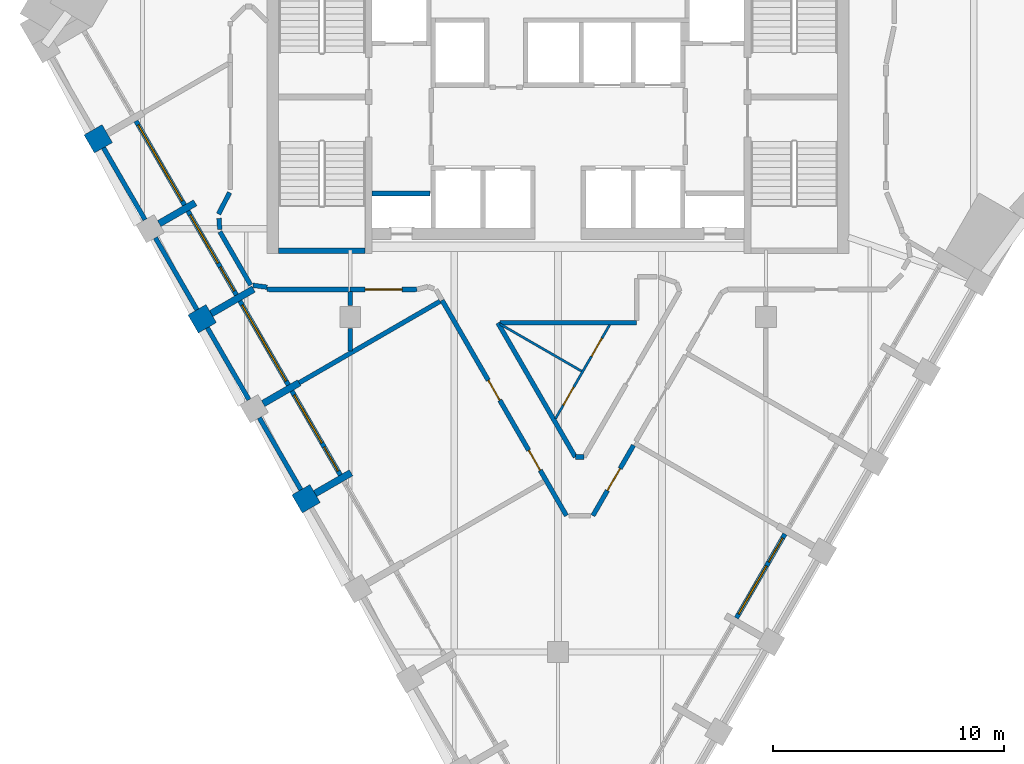
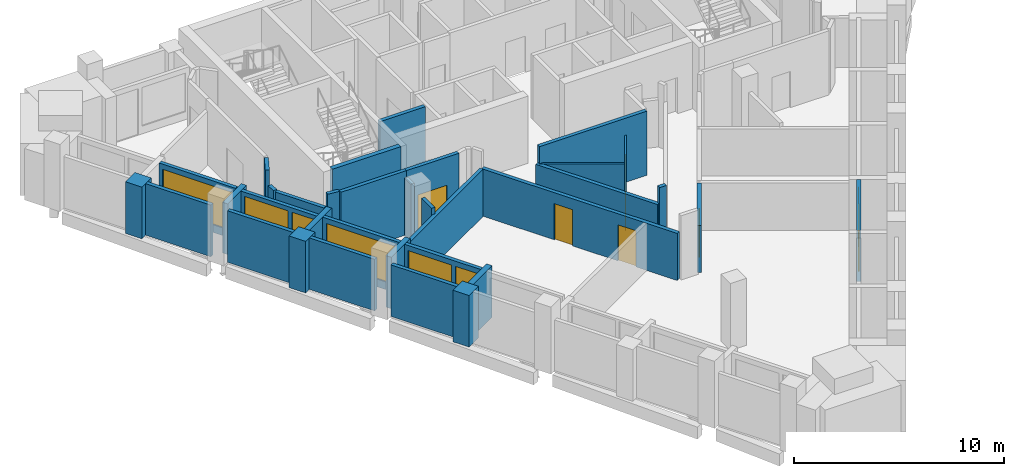
# One storey, part 3 of 9: 34 walls, 9 doors, 5 windows, 14 openings.
"""IFC4 building model written with IfcOpenShell, lengths in metres."""

from ifc_helpers import new_model, si_unit, direction, frame, frame_2d, origin, place, context, subcontext, project, spatial, rectangle, extrude, material, layer, layer_set, type_object, element, fill, save


model = new_model("IFC4")

# Units and contexts
model_context = context("Model", 3, precision=1e-05, world=origin(), true_north=direction((0.0, 1.0)))
body_context = subcontext(model_context, "Body", "Model", "MODEL_VIEW")
ifc_project = project(units=[si_unit("LENGTHUNIT", "METRE"), si_unit("AREAUNIT", "SQUARE_METRE"), si_unit("VOLUMEUNIT", "CUBIC_METRE"), si_unit("PLANEANGLEUNIT", "RADIAN"), si_unit("MASSUNIT", "GRAM", prefix="KILO")], contexts=[model_context])

# Site, building, storey
site_placement = place(None, origin())
site = spatial("IfcSite", under=ifc_project, at=site_placement, CompositionType="ELEMENT")
building_placement = place(site_placement, origin())
building = spatial("IfcBuilding", under=site, at=building_placement, Name="Calabash Gate Tower", CompositionType="ELEMENT")
storey_placement = place(building_placement, frame((0.0, 0.0, 291.10009765625)))
storey = spatial("IfcBuildingStorey", under=building, at=storey_placement, Name="L70", CompositionType="ELEMENT", Elevation=291.10009765625)

# Walls
ifc_material_1 = material(Name="Terracotta brick masonry, exposed face", Category="masonry")
ifc_layer_1 = layer(ifc_material_1, 0.89990234375)
ifc_layer_set_1 = layer_set([ifc_layer_1], Name="Brick end wall 900")
wall_type_1 = type_object("IfcWallType", Name="Brick end wall 900", PredefinedType="SOLIDWALL", material=ifc_layer_set_1)
for number, where, z_axis, x_axis, name in (
    (1, (-20.301513671875, 9.998046875, 0.0), (0.0, 0.0, 1.0), (0.866013897511, 0.50001992892, 0.0), "Brick pier S21 SW0.1"),
    (2, (-15.022216796875, 2.65380859375, 0.0), (0.0, 0.0, 1.0), (-0.865896406789, -0.500223362819, 0.0), "Brick pier S21 SW0.3"),
    (3, (-11.136962890625, -4.975830078125, 0.0), (0.0, 0.0, 1.0), (0.500223362819, -0.865896406789, 0.0), "Brick pier S21 SW0.5"),
):
    element("IfcWall", number, at=place(storey_placement, frame(where, z_axis=z_axis, x_axis=x_axis)), inside=storey, type_object=wall_type_1, Name=name, PredefinedType="SOLIDWALL", context=body_context, shape_type="SweptSolid", body=[
        extrude(rectangle(XDim=0.89990234375, YDim=0.89990234375, at=frame_2d((0.449951171875, 0.0))), origin(), (0.0, 0.0, 1.0), 3.0),
    ])
ifc_material_2 = material(Name="Terracotta brick masonry, exposed face", Category="masonry")
ifc_layer_2 = layer(ifc_material_2, 0.300048828125)
ifc_layer_set_2 = layer_set([ifc_layer_2], Name="Brick loggia cheek wall 300")
wall_type_2 = type_object("IfcWallType", Name="Brick loggia cheek wall 300", PredefinedType="SOLIDWALL", material=ifc_layer_set_2)
wall_1_placement = place(storey_placement, frame((-17.272216796875, 6.55078125, 0.0), z_axis=(0.0, 0.0, 1.0), x_axis=(0.865989075817, 0.500062916607, 0.0)))
element("IfcWall", 4, at=wall_1_placement, inside=storey, type_object=wall_type_2, Name="Loggia cheek S21 SW0.2", PredefinedType="SOLIDWALL", context=body_context, shape_type="SweptSolid", body=[
    extrude(rectangle(XDim=1.800048828125, YDim=0.300048828125, at=frame_2d((0.89990234375, 0.0))), origin(), (0.0, 0.0, 1.0), 2.949951171875),
])
wall_2_placement = place(storey_placement, frame((-13.186279296875, 3.713623046875, 0.0), z_axis=(0.0, 0.0, 1.0), x_axis=(-0.866059014716, -0.499941779639, 0.0)))
element("IfcWall", 5, at=wall_2_placement, inside=storey, type_object=wall_type_2, Name="Loggia cheek S21 SW0.3", PredefinedType="SOLIDWALL", context=body_context, shape_type="SweptSolid", body=[
    extrude(rectangle(XDim=2.119873046875, YDim=0.300048828125, at=frame_2d((1.06005859375, 0.0))), origin(), (0.0, 0.0, 1.0), 3.0),
])
wall_3_placement = place(storey_placement, frame((-12.77197265625, -1.243408203125, 0.0), z_axis=(0.0, 0.0, 1.0), x_axis=(0.866013897511, 0.50001992892, 0.0)))
element("IfcWall", 6, at=wall_3_placement, inside=storey, type_object=wall_type_2, Name="Loggia cheek S21 SW0.4", PredefinedType="SOLIDWALL", context=body_context, shape_type="SweptSolid", body=[
    extrude(rectangle(XDim=1.7998046875, YDim=0.300048828125, at=frame_2d((0.89990234375, 0.0))), origin(), (0.0, 0.0, 1.0), 3.0),
])
wall_4_placement = place(storey_placement, frame((-10.522216796875, -5.140380859375, 0.0), z_axis=(0.0, 0.0, 1.0), x_axis=(0.866047807691, 0.499961193289, 0.0)))
element("IfcWall", 7, at=wall_4_placement, inside=storey, type_object=wall_type_2, Name="Loggia cheek S21 SW0.5", PredefinedType="SOLIDWALL", context=body_context, shape_type="SweptSolid", body=[
    extrude(rectangle(XDim=1.800048828125, YDim=0.300048828125, at=frame_2d((0.89990234375, 0.0))), origin(), (0.0, 0.0, 1.0), 3.0),
])
ifc_material_3 = material(Name="Concrete C60/75", Category="concrete")
ifc_layer_3 = layer(ifc_material_3, 0.25)
ifc_layer_set_3 = layer_set([ifc_layer_3], Name="Core wall 250 Concrete C60/75")
wall_type_3 = type_object("IfcWallType", Name="Core wall 250 Concrete C60/75", PredefinedType="SHEAR", material=ifc_layer_set_3)
wall_5_placement = place(storey_placement, frame((-12.10009765625, 5.377685546875, 0.0), z_axis=(0.0, 0.0, 1.0), x_axis=(1.0, 0.0, 0.0)))
element("IfcWall", 8, at=wall_5_placement, inside=storey, type_object=wall_type_3, Name="Core wall Z5-SSW L70", PredefinedType="SHEAR", context=body_context, shape_type="SweptSolid", body=[
    extrude(rectangle(XDim=3.75, YDim=0.25, at=frame_2d((1.875, 0.0))), origin(), (0.0, 0.0, 1.0), 3.89990234375),
])

# Wall, openings, doors
ifc_material_4 = material(Name="Gypsum board on steel studs, mineral wool", Category="steel")
ifc_layer_4 = layer(ifc_material_4, 0.10009765625)
ifc_layer_set_4 = layer_set([ifc_layer_4], Name="Partition 100 gypsum board")
wall_type_4 = type_object("IfcWallType", Name="Partition 100 gypsum board", PredefinedType="PARTITIONING", material=ifc_layer_set_4)
wall_6_placement = place(storey_placement, frame((-0.112060546875, -1.897705078125, 0.0), z_axis=(0.0, 0.0, 1.0), x_axis=(0.499971624425, 0.866041785811, 0.0)))
wall_6 = element("IfcWall", 9, at=wall_6_placement, inside=storey, type_object=wall_type_4, Name="Partition", PredefinedType="PARTITIONING", context=body_context, shape_type="SweptSolid", body=[
    extrude(rectangle(XDim=4.693115234375, YDim=0.10009765625, at=frame_2d((2.3466796875, 0.0))), origin(), (0.0, 0.0, 1.0), 2.74169921875),
])
opening_1_placement = place(wall_6_placement, frame((0.672607421875, 0.0, 0.0)))
opening_1 = element("IfcOpeningElement", 10, at=opening_1_placement, cuts=wall_6, Name="Opening 69-70-013", PredefinedType="OPENING", context=body_context, shape_type="SweptSolid", body=[
    extrude(rectangle(XDim=0.89990234375, YDim=2.10009765625, at=frame_2d((0.449951171875, 1.050048828125))), frame((0.0, 0.06005859375, 0.0), z_axis=(0.0, -1.0, 0.0), x_axis=(1.0, 0.0, 0.0)), (0.0, 0.0, 1.0), 0.1201171875),
])
opening_2_placement = place(wall_6_placement, frame((3.11962890625, 0.0, 0.0)))
opening_2 = element("IfcOpeningElement", 11, at=opening_2_placement, cuts=wall_6, Name="Opening 69-70-014", PredefinedType="OPENING", context=body_context, shape_type="SweptSolid", body=[
    extrude(rectangle(XDim=0.89990234375, YDim=2.10009765625, at=frame_2d((0.449951171875, 1.050048828125))), frame((0.0, 0.06005859375, 0.0), z_axis=(0.0, -1.0, 0.0), x_axis=(1.0, 0.0, 0.0)), (0.0, 0.0, 1.0), 0.1201171875),
])
ifc_material_5 = material(Name="Painted timber door", Category="wood")
door_type_1 = type_object("IfcDoorType", Name="WD1 WC door 900x2100", OperationType="NOTDEFINED", PredefinedType="DOOR", material=ifc_material_5)
door_1_placement = place(opening_1_placement, origin())
door_1 = element("IfcDoor", 12, at=door_1_placement, inside=storey, type_object=door_type_1, Name="WC door", OperationType="SINGLE_SWING_LEFT", OverallHeight=2.10009765625, OverallWidth=0.89990234375, PredefinedType="DOOR", context=body_context, shape_type="SweptSolid", body=[
    extrude(rectangle(XDim=0.89990234375, YDim=2.10009765625, at=frame_2d((0.449951171875, 1.050048828125))), frame((0.0, 0.02490234375, 0.0), z_axis=(0.0, -1.0, 0.0), x_axis=(1.0, 0.0, 0.0)), (0.0, 0.0, 1.0), 0.050048828125),
])
fill(opening_1, door_1)
door_2_placement = place(opening_2_placement, origin())
door_2 = element("IfcDoor", 13, at=door_2_placement, inside=storey, type_object=door_type_1, Name="WC door", OperationType="SINGLE_SWING_RIGHT", OverallHeight=2.10009765625, OverallWidth=0.89990234375, PredefinedType="DOOR", context=body_context, shape_type="SweptSolid", body=[
    extrude(rectangle(XDim=0.89990234375, YDim=2.10009765625, at=frame_2d((0.449951171875, 1.050048828125))), frame((0.0, 0.02490234375, 0.0), z_axis=(0.0, -1.0, 0.0), x_axis=(1.0, 0.0, 0.0)), (0.0, 0.0, 1.0), 0.050048828125),
])
fill(opening_2, door_2)

# Wall
wall_7_placement = place(storey_placement, frame((-2.517578125, 2.202392578125, 0.0), z_axis=(0.0, 0.0, 1.0), x_axis=(0.866034240187, -0.49998469459, 0.0)))
element("IfcWall", 14, at=wall_7_placement, inside=storey, type_object=wall_type_4, Name="Partition", PredefinedType="PARTITIONING", context=body_context, shape_type="SweptSolid", body=[
    extrude(rectangle(XDim=4.083251953125, YDim=0.10009765625, at=frame_2d((2.04150390625, 0.0))), origin(), (0.0, 0.0, 1.0), 2.74169921875),
])

# Wall, openings, doors
ifc_material_6 = material(Name="Gypsum board on steel studs, mineral wool", Category="steel")
ifc_layer_5 = layer(ifc_material_6, 0.199951171875)
ifc_layer_set_5 = layer_set([ifc_layer_5], Name="Partition 200 gypsum board EI 60")
wall_type_5 = type_object("IfcWallType", Name="Partition 200 gypsum board EI 60", PredefinedType="PARTITIONING", material=ifc_layer_set_5)
wall_8_placement = place(storey_placement, frame((-5.02294921875, 3.230712890625, 0.0), z_axis=(0.0, 0.0, 1.0), x_axis=(0.499993215683, -0.866029320676, 0.0)))
wall_8 = element("IfcWall", 15, at=wall_8_placement, inside=storey, type_object=wall_type_5, Name="Partition", PredefinedType="PARTITIONING", context=body_context, shape_type="SweptSolid", body=[
    extrude(rectangle(XDim=10.771240234375, YDim=0.199951171875, at=frame_2d((5.3857421875, 0.0))), origin(), (0.0, 0.0, 1.0), 2.74169921875),
])
opening_3_placement = place(wall_8_placement, frame((4.0, 0.0, 0.0)))
opening_3 = element("IfcOpeningElement", 16, at=opening_3_placement, cuts=wall_8, Name="Opening 69-70-001", PredefinedType="OPENING", context=body_context, shape_type="SweptSolid", body=[
    extrude(rectangle(XDim=1.0, YDim=2.10009765625, at=frame_2d((0.5, 1.050048828125))), frame((0.0, 0.10986328125, 0.0), z_axis=(0.0, -1.0, 0.0), x_axis=(1.0, 0.0, 0.0)), (0.0, 0.0, 1.0), 0.219970703125),
])
opening_4_placement = place(wall_8_placement, frame((7.501708984375, 0.0, 0.0)))
opening_4 = element("IfcOpeningElement", 17, at=opening_4_placement, cuts=wall_8, Name="Opening 69-70-002", PredefinedType="OPENING", context=body_context, shape_type="SweptSolid", body=[
    extrude(rectangle(XDim=1.0, YDim=2.10009765625, at=frame_2d((0.5, 1.050048828125))), frame((0.0, 0.10986328125, 0.0), z_axis=(0.0, -1.0, 0.0), x_axis=(1.0, 0.0, 0.0)), (0.0, 0.0, 1.0), 0.219970703125),
])
ifc_material_7 = material(Name="Steel fire door set with fire-resisting glazing", Category="steel")
door_type_2 = type_object("IfcDoorType", Name="LD2 Meeting room door 1000x2100", OperationType="NOTDEFINED", PredefinedType="DOOR", material=ifc_material_7)
door_3_placement = place(opening_3_placement, origin())
door_3 = element("IfcDoor", 18, at=door_3_placement, inside=storey, type_object=door_type_2, Name="Meeting room door", OperationType="SINGLE_SWING_LEFT", OverallHeight=2.10009765625, OverallWidth=1.0, PredefinedType="DOOR", context=body_context, shape_type="SweptSolid", body=[
    extrude(rectangle(XDim=1.0, YDim=2.10009765625, at=frame_2d((0.5, 1.050048828125))), frame((0.0, 0.02490234375, 0.0), z_axis=(0.0, -1.0, 0.0), x_axis=(1.0, 0.0, 0.0)), (0.0, 0.0, 1.0), 0.050048828125),
])
fill(opening_3, door_3)
door_4_placement = place(opening_4_placement, origin())
door_4 = element("IfcDoor", 19, at=door_4_placement, inside=storey, type_object=door_type_2, Name="Meeting room door", OperationType="SINGLE_SWING_RIGHT", OverallHeight=2.10009765625, OverallWidth=1.0, PredefinedType="DOOR", context=body_context, shape_type="SweptSolid", body=[
    extrude(rectangle(XDim=1.0, YDim=2.10009765625, at=frame_2d((0.5, 1.050048828125))), frame((0.0, 0.02490234375, 0.0), z_axis=(0.0, -1.0, 0.0), x_axis=(1.0, 0.0, 0.0)), (0.0, 0.0, 1.0), 0.050048828125),
])
fill(opening_4, door_4)

# Wall, opening, door
wall_9_placement = place(storey_placement, frame((1.507568359375, -6.096923828125, 0.0), z_axis=(0.0, 0.0, 1.0), x_axis=(0.500420898521, 0.865782261497, 0.0)))
wall_9 = element("IfcWall", 20, at=wall_9_placement, inside=storey, type_object=wall_type_5, Name="Partition", PredefinedType="PARTITIONING", context=body_context, shape_type="SweptSolid", body=[
    extrude(rectangle(XDim=3.51953125, YDim=0.199951171875, at=frame_2d((1.759765625, 0.0))), origin(), (0.0, 0.0, 1.0), 2.74169921875),
])
opening_5_placement = place(wall_9_placement, frame((1.260009765625, 0.0, 0.0)))
opening_5 = element("IfcOpeningElement", 21, at=opening_5_placement, cuts=wall_9, Name="Opening 69-70-011", PredefinedType="OPENING", context=body_context, shape_type="SweptSolid", body=[
    extrude(rectangle(XDim=1.10009765625, YDim=2.10009765625, at=frame_2d((0.550048828125, 1.050048828125))), frame((0.0, 0.10986328125, 0.0), z_axis=(0.0, -1.0, 0.0), x_axis=(1.0, 0.0, 0.0)), (0.0, 0.0, 1.0), 0.219970703125),
])
ifc_material_8 = material(Name="Steel fire door set with fire-resisting glazing", Category="steel")
door_type_3 = type_object("IfcDoorType", Name="GD3 Suite entrance door 1100x2100", OperationType="NOTDEFINED", PredefinedType="DOOR", material=ifc_material_8)
door_5_placement = place(opening_5_placement, origin())
door_5 = element("IfcDoor", 22, at=door_5_placement, inside=storey, type_object=door_type_3, Name="Suite entrance door", OperationType="SINGLE_SWING_LEFT", OverallHeight=2.10009765625, OverallWidth=1.10009765625, PredefinedType="DOOR", context=body_context, shape_type="SweptSolid", body=[
    extrude(rectangle(XDim=1.10009765625, YDim=2.10009765625, at=frame_2d((0.550048828125, 1.050048828125))), frame((0.0, 0.02490234375, 0.0), z_axis=(0.0, -1.0, 0.0), x_axis=(1.0, 0.0, 0.0)), (0.0, 0.0, 1.0), 0.050048828125),
])
fill(opening_5, door_5)

# Walls
wall_10_placement = place(storey_placement, frame((0.7470703125, -3.555419921875, 0.0), z_axis=(0.0, 0.0, 1.0), x_axis=(0.999996683004, -0.002575651469, 0.0)))
element("IfcWall", 23, at=wall_10_placement, inside=storey, type_object=wall_type_5, Name="Partition", PredefinedType="PARTITIONING", context=body_context, shape_type="SweptSolid", body=[
    extrude(rectangle(XDim=0.379150390625, YDim=0.199951171875, at=frame_2d((0.189453125, 0.0))), origin(), (0.0, 0.0, 1.0), 3.72998046875),
])
wall_11_placement = place(storey_placement, frame((-11.213623046875, -0.343017578125, 0.0), z_axis=(0.0, 0.0, 1.0), x_axis=(0.86573436217, 0.500503760384, 0.0)))
element("IfcWall", 24, at=wall_11_placement, inside=storey, type_object=wall_type_5, Name="Partition", PredefinedType="PARTITIONING", context=body_context, shape_type="SweptSolid", body=[
    extrude(rectangle(XDim=7.049560546875, YDim=0.199951171875, at=frame_2d((3.52490234375, 0.0))), origin(), (0.0, 0.0, 1.0), 2.74169921875),
])
wall_12_placement = place(storey_placement, frame((-9.001708984375, 1.03564453125, 0.0), z_axis=(0.0, 0.0, 1.0), x_axis=(0.001518985589, 0.999998846341, 0.0)))
element("IfcWall", 25, at=wall_12_placement, inside=storey, type_object=wall_type_5, Name="Partition", PredefinedType="PARTITIONING", context=body_context, shape_type="SweptSolid", body=[
    extrude(rectangle(XDim=0.96435546875, YDim=0.199951171875, at=frame_2d((0.482177734375, 0.0))), origin(), (0.0, 0.0, 1.0), 3.1279296875),
])
wall_13_placement = place(storey_placement, frame((-2.60498046875, 2.25048828125, 0.0), z_axis=(0.0, 0.0, 1.0), x_axis=(0.500000908097, -0.866024879494, 0.0)))
element("IfcWall", 26, at=wall_13_placement, inside=storey, type_object=wall_type_5, Name="Partition", PredefinedType="PARTITIONING", context=body_context, shape_type="SweptSolid", body=[
    extrude(rectangle(XDim=6.7041015625, YDim=0.199951171875, at=frame_2d((3.35205078125, 0.0))), origin(), (0.0, 0.0, 1.0), 2.74169921875),
])
wall_14_placement = place(storey_placement, frame((-2.504638671875, 2.25048828125, 0.0), z_axis=(0.0, 0.0, 1.0), x_axis=(0.999999930765, 0.000372116074, 0.0)))
element("IfcWall", 27, at=wall_14_placement, inside=storey, type_object=wall_type_5, Name="Partition", PredefinedType="PARTITIONING", context=body_context, shape_type="SweptSolid", body=[
    extrude(rectangle(XDim=5.90478515625, YDim=0.199951171875, at=frame_2d((2.952392578125, 0.0))), origin(), (0.0, 0.0, 1.0), 3.72998046875),
])
wall_15_placement = place(storey_placement, frame((-9.001708984375, 3.599609375, 0.0), z_axis=(0.0, 0.0, 1.0), x_axis=(0.002442989453, -0.999997015897, 0.0)))
element("IfcWall", 28, at=wall_15_placement, inside=storey, type_object=wall_type_5, Name="Partition", PredefinedType="PARTITIONING", context=body_context, shape_type="SweptSolid", body=[
    extrude(rectangle(XDim=0.599609375, YDim=0.199951171875, at=frame_2d((0.2998046875, 0.0))), origin(), (0.0, 0.0, 1.0), 3.33154296875),
])
wall_16_placement = place(storey_placement, frame((-12.60009765625, 3.699462890625, 0.0), z_axis=(0.0, 0.0, 1.0), x_axis=(0.999999917209, -0.000406917565, 0.0)))
element("IfcWall", 29, at=wall_16_placement, inside=storey, type_object=wall_type_5, Name="Partition", PredefinedType="PARTITIONING", context=body_context, shape_type="SweptSolid", body=[
    extrude(rectangle(XDim=3.599853515625, YDim=0.199951171875, at=frame_2d((1.7998046875, 0.0))), origin(), (0.0, 0.0, 1.0), 3.72998046875),
])

# Wall, opening, door
wall_17_placement = place(storey_placement, frame((-9.0, 3.697998046875, 0.0), z_axis=(0.0, 0.0, 1.0), x_axis=(0.999999871794, 0.000506371781, 0.0)))
wall_17 = element("IfcWall", 30, at=wall_17_placement, inside=storey, type_object=wall_type_5, Name="Partition", PredefinedType="PARTITIONING", context=body_context, shape_type="SweptSolid", body=[
    extrude(rectangle(XDim=2.892822265625, YDim=0.199951171875, at=frame_2d((1.4462890625, 0.0))), origin(), (0.0, 0.0, 1.0), 3.72998046875),
])
opening_6_placement = place(wall_17_placement, frame((0.6455078125, 0.0, 0.0)))
opening_6 = element("IfcOpeningElement", 31, at=opening_6_placement, cuts=wall_17, Name="Opening 69-70-004", PredefinedType="OPENING", context=body_context, shape_type="SweptSolid", body=[
    extrude(rectangle(XDim=1.60009765625, YDim=2.10009765625, at=frame_2d((0.800048828125, 1.050048828125))), frame((0.0, 0.10986328125, 0.0), z_axis=(0.0, -1.0, 0.0), x_axis=(1.0, 0.0, 0.0)), (0.0, 0.0, 1.0), 0.219970703125),
])
ifc_material_9 = material(Name="Steel fire door set with fire-resisting glazing", Category="steel")
door_type_4 = type_object("IfcDoorType", Name="LD1 Lounge double door 1600x2100", OperationType="NOTDEFINED", PredefinedType="DOOR", material=ifc_material_9)
door_6_placement = place(opening_6_placement, origin())
door_6 = element("IfcDoor", 32, at=door_6_placement, inside=storey, type_object=door_type_4, Name="Lounge double door", OperationType="DOUBLE_DOOR_SINGLE_SWING", OverallHeight=2.10009765625, OverallWidth=1.60009765625, PredefinedType="DOOR", context=body_context, shape_type="SweptSolid", body=[
    extrude(rectangle(XDim=1.60009765625, YDim=2.10009765625, at=frame_2d((0.800048828125, 1.050048828125))), frame((0.0, 0.02490234375, 0.0), z_axis=(0.0, -1.0, 0.0), x_axis=(1.0, 0.0, 0.0)), (0.0, 0.0, 1.0), 0.050048828125),
])
fill(opening_6, door_6)

# Walls
wall_18_placement = place(storey_placement, frame((-13.21240234375, 3.876953125, 0.0), z_axis=(0.0, 0.0, 1.0), x_axis=(0.991440824405, -0.130556852376, 0.0)))
element("IfcWall", 33, at=wall_18_placement, inside=storey, type_object=wall_type_5, Name="Partition", PredefinedType="PARTITIONING", context=body_context, shape_type="SweptSolid", body=[
    extrude(rectangle(XDim=0.6171875, YDim=0.199951171875, at=frame_2d((0.30859375, 0.0))), origin(), (0.0, 0.0, 1.0), 3.72998046875),
])
wall_19_placement = place(storey_placement, frame((-14.64453125, 6.19873046875, 0.0), z_axis=(0.0, 0.0, 1.0), x_axis=(0.499999897272, -0.866025463095, 0.0)))
element("IfcWall", 34, at=wall_19_placement, inside=storey, type_object=wall_type_5, Name="Partition", PredefinedType="PARTITIONING", context=body_context, shape_type="SweptSolid", body=[
    extrude(rectangle(XDim=2.666015625, YDim=0.199951171875, at=frame_2d((1.3330078125, 0.0))), origin(), (0.0, 0.0, 1.0), 2.949951171875),
])
wall_20_placement = place(storey_placement, frame((-14.683349609375, 6.780029296875, 0.0), z_axis=(0.0, 0.0, 1.0), x_axis=(0.066787663234, -0.997767211347, 0.0)))
element("IfcWall", 35, at=wall_20_placement, inside=storey, type_object=wall_type_5, Name="Partition", PredefinedType="PARTITIONING", context=body_context, shape_type="SweptSolid", body=[
    extrude(rectangle(XDim=0.482421875, YDim=0.199951171875, at=frame_2d((0.2412109375, 0.0))), origin(), (0.0, 0.0, 1.0), 2.949951171875),
])
wall_21_placement = place(storey_placement, frame((-14.701904296875, 6.96728515625, 0.0), z_axis=(0.0, 0.0, 1.0), x_axis=(0.457967820871, 0.888968770569, 0.0)))
element("IfcWall", 36, at=wall_21_placement, inside=storey, type_object=wall_type_5, Name="Partition", PredefinedType="PARTITIONING", context=body_context, shape_type="SweptSolid", body=[
    extrude(rectangle(XDim=1.041015625, YDim=0.199951171875, at=frame_2d((0.5205078125, 0.0))), origin(), (0.0, 0.0, 1.0), 3.72998046875),
])
ifc_material_10 = material(Name="Concrete C40/50", Category="concrete")
ifc_layer_6 = layer(ifc_material_10, 0.199951171875)
ifc_layer_set_6 = layer_set([ifc_layer_6], Name="Shaft wall 200 Concrete C40/50")
wall_type_6 = type_object("IfcWallType", Name="Shaft wall 200 Concrete C40/50", PredefinedType="SOLIDWALL", material=ifc_layer_set_6)
wall_22_placement = place(storey_placement, frame((-8.050048828125, 7.8525390625, 0.0), z_axis=(0.0, 0.0, 1.0), x_axis=(1.0, 0.0, 0.0)))
element("IfcWall", 37, at=wall_22_placement, inside=storey, type_object=wall_type_6, Name="Shaft wall", PredefinedType="SOLIDWALL", context=body_context, shape_type="SweptSolid", body=[
    extrude(rectangle(XDim=2.5, YDim=0.199951171875, at=frame_2d((1.25, 0.0))), origin(), (0.0, 0.0, 1.0), 3.72998046875),
])
ifc_material_11 = material(Name="Terracotta brick masonry, perforated", Category="masonry")
ifc_layer_7 = layer(ifc_material_11, 0.199951171875)
ifc_layer_set_7 = layer_set([ifc_layer_7], Name="Terracotta jaali screen A")
wall_type_7 = type_object("IfcWallType", Name="Terracotta jaali screen A", PredefinedType="SOLIDWALL", material=ifc_layer_set_7)
for number, where, z_axis, x_axis, name in (
    (38, (-19.686767578125, 9.833251953125, 0.0), (0.0, 0.0, 1.0), (0.499961193289, -0.866047807691, 0.0), "SCREEN A S21 SW0.2"),
    (39, (-17.436767578125, 5.93603515625, 0.0), (0.0, 0.0, 1.0), (0.499961193289, -0.866047807691, 0.0), "SCREEN A S21 SW0.3"),
    (40, (-15.186767578125, 2.0390625, 0.0), (0.0, 0.0, 1.0), (0.499961193289, -0.866047807691, 0.0), "SCREEN A S21 SW0.4"),
    (41, (-12.936767578125, -1.858154296875, 0.0), (0.0, 0.0, 1.0), (0.499961193289, -0.866047807691, 0.0), "SCREEN A S21 SW0.5"),
):
    element("IfcWall", number, at=place(storey_placement, frame(where, z_axis=z_axis, x_axis=x_axis)), inside=storey, type_object=wall_type_7, Name=name, PredefinedType="SOLIDWALL", context=body_context, shape_type="SweptSolid", body=[
        extrude(rectangle(XDim=3.599853515625, YDim=0.199951171875, at=frame_2d((1.7998046875, 0.0))), origin(), (0.0, 0.0, 1.0), 3.0),
    ])

# Wall, opening, window
ifc_material_12 = material(Name="Aluminium framed window wall with insulated spandrel", Category="aluminium")
ifc_layer_8 = layer(ifc_material_12, 0.199951171875)
ifc_layer_set_8 = layer_set([ifc_layer_8], Name="Window wall 200")
wall_type_8 = type_object("IfcWallType", Name="Window wall 200", PredefinedType="ELEMENTEDWALL", material=ifc_layer_set_8)
wall_23_placement = place(storey_placement, frame((-18.278076171875, 10.9931640625, 0.0), z_axis=(0.0, 0.0, 1.0), x_axis=(0.500002543286, -0.866023935413, 0.0)))
wall_23 = element("IfcWall", 42, at=wall_23_placement, inside=storey, type_object=wall_type_8, Name="Window wall S21 SW0.2", PredefinedType="ELEMENTEDWALL", context=body_context, shape_type="SweptSolid", body=[
    extrude(rectangle(XDim=4.2001953125, YDim=0.199951171875, at=frame_2d((2.10009765625, 0.0))), origin(), (0.0, 0.0, 1.0), 3.0),
])
opening_7_placement = place(wall_23_placement, frame((0.199951171875, 0.0, 0.449951171875)))
opening_7 = element("IfcOpeningElement", 43, at=opening_7_placement, cuts=wall_23, Name="Opening OW2", PredefinedType="OPENING", context=body_context, shape_type="SweptSolid", body=[
    extrude(rectangle(XDim=3.800048828125, YDim=2.25, at=frame_2d((1.89990234375, 1.125))), frame((0.0, 0.10986328125, 0.0), z_axis=(0.0, -1.0, 0.0), x_axis=(1.0, 0.0, 0.0)), (0.0, 0.0, 1.0), 0.219970703125),
])
ifc_material_13 = material(Name="Anodised aluminium frame, bronze finish, impact-rated laminated clear glazing", Category="aluminium")
window_type_1 = type_object("IfcWindowType", Name="Window OW2 3800x2250", PartitioningType="TRIPLE_PANEL_VERTICAL", PredefinedType="WINDOW", material=ifc_material_13)
window_1_placement = place(opening_7_placement, origin())
window_1 = element("IfcWindow", 44, at=window_1_placement, inside=storey, type_object=window_type_1, Name="Window OW2 S21 SW0.2", OverallHeight=2.25, OverallWidth=3.800048828125, PartitioningType="SINGLE_PANEL", PredefinedType="WINDOW", context=body_context, shape_type="SweptSolid", body=[
    extrude(rectangle(XDim=3.800048828125, YDim=2.25, at=frame_2d((1.89990234375, 1.125))), frame((0.0, 0.030029296875, 0.0), z_axis=(0.0, -1.0, 0.0), x_axis=(1.0, 0.0, 0.0)), (0.0, 0.0, 1.0), 0.06005859375),
])
fill(opening_7, window_1)

# Wall, openings, door, window
wall_24_placement = place(storey_placement, frame((-16.028076171875, 7.095947265625, 0.0), z_axis=(0.0, 0.0, 1.0), x_axis=(0.500027713859, -0.866009402589, 0.0)))
wall_24 = element("IfcWall", 45, at=wall_24_placement, inside=storey, type_object=wall_type_8, Name="Window wall S21 SW0.3", PredefinedType="ELEMENTEDWALL", context=body_context, shape_type="SweptSolid", body=[
    extrude(rectangle(XDim=4.199951171875, YDim=0.199951171875, at=frame_2d((2.10009765625, 0.0))), origin(), (0.0, 0.0, 1.0), 2.949951171875),
])
opening_8_placement = place(wall_24_placement, frame((0.199951171875, 0.0, 0.449951171875)))
opening_8 = element("IfcOpeningElement", 46, at=opening_8_placement, cuts=wall_24, Name="Opening OW1", PredefinedType="OPENING", context=body_context, shape_type="SweptSolid", body=[
    extrude(rectangle(XDim=2.39990234375, YDim=2.25, at=frame_2d((1.199951171875, 1.125))), frame((0.0, 0.10986328125, 0.0), z_axis=(0.0, -1.0, 0.0), x_axis=(1.0, 0.0, 0.0)), (0.0, 0.0, 1.0), 0.219970703125),
])
opening_9_placement = place(wall_24_placement, frame((2.800048828125, 0.0, 0.0)))
opening_9 = element("IfcOpeningElement", 47, at=opening_9_placement, cuts=wall_24, Name="Opening O13-019", PredefinedType="OPENING", context=body_context, shape_type="SweptSolid", body=[
    extrude(rectangle(XDim=1.199951171875, YDim=2.699951171875, at=frame_2d((0.60009765625, 1.35009765625))), frame((0.0, 0.10986328125, 0.0), z_axis=(0.0, -1.0, 0.0), x_axis=(1.0, 0.0, 0.0)), (0.0, 0.0, 1.0), 0.219970703125),
])
ifc_material_14 = material(Name="Anodised aluminium frame, bronze finish, impact-rated laminated clear glazing", Category="aluminium")
door_type_5 = type_object("IfcDoorType", Name="Loggia door DO1 1200x2700", OperationType="SLIDING_TO_LEFT", PredefinedType="DOOR", material=ifc_material_14)
door_7_placement = place(opening_9_placement, origin())
door_7 = element("IfcDoor", 48, at=door_7_placement, inside=storey, type_object=door_type_5, Name="Loggia door S21 SW0.3", OperationType="SINGLE_SWING_LEFT", OverallHeight=2.699951171875, OverallWidth=1.199951171875, PredefinedType="DOOR", context=body_context, shape_type="SweptSolid", body=[
    extrude(rectangle(XDim=1.199951171875, YDim=2.699951171875, at=frame_2d((0.60009765625, 1.35009765625))), frame((0.0, 0.02490234375, 0.0), z_axis=(0.0, -1.0, 0.0), x_axis=(1.0, 0.0, 0.0)), (0.0, 0.0, 1.0), 0.050048828125),
])
fill(opening_9, door_7)
ifc_material_15 = material(Name="Anodised aluminium frame, bronze finish, impact-rated laminated clear glazing", Category="aluminium")
window_type_2 = type_object("IfcWindowType", Name="Window OW1 2400x2250", PartitioningType="DOUBLE_PANEL_VERTICAL", PredefinedType="WINDOW", material=ifc_material_15)
window_2_placement = place(opening_8_placement, origin())
window_2 = element("IfcWindow", 49, at=window_2_placement, inside=storey, type_object=window_type_2, Name="Window OW1 S21 SW0.3", OverallHeight=2.25, OverallWidth=2.39990234375, PartitioningType="SINGLE_PANEL", PredefinedType="WINDOW", context=body_context, shape_type="SweptSolid", body=[
    extrude(rectangle(XDim=2.39990234375, YDim=2.25, at=frame_2d((1.199951171875, 1.125))), frame((0.0, 0.030029296875, 0.0), z_axis=(0.0, -1.0, 0.0), x_axis=(1.0, 0.0, 0.0)), (0.0, 0.0, 1.0), 0.06005859375),
])
fill(opening_8, window_2)

# Wall, opening, window
wall_25_placement = place(storey_placement, frame((-13.778076171875, 3.19873046875, 0.0), z_axis=(0.0, 0.0, 1.0), x_axis=(0.500027713859, -0.866009402589, 0.0)))
wall_25 = element("IfcWall", 50, at=wall_25_placement, inside=storey, type_object=wall_type_8, Name="Window wall S21 SW0.4", PredefinedType="ELEMENTEDWALL", context=body_context, shape_type="SweptSolid", body=[
    extrude(rectangle(XDim=4.199951171875, YDim=0.199951171875, at=frame_2d((2.10009765625, 0.0))), origin(), (0.0, 0.0, 1.0), 3.0),
])
opening_10_placement = place(wall_25_placement, frame((0.199951171875, 0.0, 0.449951171875)))
opening_10 = element("IfcOpeningElement", 51, at=opening_10_placement, cuts=wall_25, Name="Opening OW2", PredefinedType="OPENING", context=body_context, shape_type="SweptSolid", body=[
    extrude(rectangle(XDim=3.800048828125, YDim=2.25, at=frame_2d((1.89990234375, 1.125))), frame((0.0, 0.10986328125, 0.0), z_axis=(0.0, -1.0, 0.0), x_axis=(1.0, 0.0, 0.0)), (0.0, 0.0, 1.0), 0.219970703125),
])
window_3_placement = place(opening_10_placement, origin())
window_3 = element("IfcWindow", 52, at=window_3_placement, inside=storey, type_object=window_type_1, Name="Window OW2 S21 SW0.4", OverallHeight=2.25, OverallWidth=3.800048828125, PartitioningType="SINGLE_PANEL", PredefinedType="WINDOW", context=body_context, shape_type="SweptSolid", body=[
    extrude(rectangle(XDim=3.800048828125, YDim=2.25, at=frame_2d((1.89990234375, 1.125))), frame((0.0, 0.030029296875, 0.0), z_axis=(0.0, -1.0, 0.0), x_axis=(1.0, 0.0, 0.0)), (0.0, 0.0, 1.0), 0.06005859375),
])
fill(opening_10, window_3)

# Wall, openings, door, window
wall_26_placement = place(storey_placement, frame((-11.528076171875, -0.6982421875, 0.0), z_axis=(0.0, 0.0, 1.0), x_axis=(0.500002543286, -0.866023935413, 0.0)))
wall_26 = element("IfcWall", 53, at=wall_26_placement, inside=storey, type_object=wall_type_8, Name="Window wall S21 SW0.5", PredefinedType="ELEMENTEDWALL", context=body_context, shape_type="SweptSolid", body=[
    extrude(rectangle(XDim=4.2001953125, YDim=0.199951171875, at=frame_2d((2.10009765625, 0.0))), origin(), (0.0, 0.0, 1.0), 3.0),
])
opening_11_placement = place(wall_26_placement, frame((0.199951171875, 0.0, 0.449951171875)))
opening_11 = element("IfcOpeningElement", 54, at=opening_11_placement, cuts=wall_26, Name="Opening OW1", PredefinedType="OPENING", context=body_context, shape_type="SweptSolid", body=[
    extrude(rectangle(XDim=2.39990234375, YDim=2.25, at=frame_2d((1.199951171875, 1.125))), frame((0.0, 0.10986328125, 0.0), z_axis=(0.0, -1.0, 0.0), x_axis=(1.0, 0.0, 0.0)), (0.0, 0.0, 1.0), 0.219970703125),
])
opening_12_placement = place(wall_26_placement, frame((2.800048828125, 0.0, 0.0)))
opening_12 = element("IfcOpeningElement", 55, at=opening_12_placement, cuts=wall_26, Name="Opening O13-020", PredefinedType="OPENING", context=body_context, shape_type="SweptSolid", body=[
    extrude(rectangle(XDim=1.199951171875, YDim=2.699951171875, at=frame_2d((0.60009765625, 1.35009765625))), frame((0.0, 0.10986328125, 0.0), z_axis=(0.0, -1.0, 0.0), x_axis=(1.0, 0.0, 0.0)), (0.0, 0.0, 1.0), 0.219970703125),
])
door_8_placement = place(opening_12_placement, origin())
door_8 = element("IfcDoor", 56, at=door_8_placement, inside=storey, type_object=door_type_5, Name="Loggia door S21 SW0.5", OperationType="SINGLE_SWING_LEFT", OverallHeight=2.699951171875, OverallWidth=1.199951171875, PredefinedType="DOOR", context=body_context, shape_type="SweptSolid", body=[
    extrude(rectangle(XDim=1.199951171875, YDim=2.699951171875, at=frame_2d((0.60009765625, 1.35009765625))), frame((0.0, 0.02490234375, 0.0), z_axis=(0.0, -1.0, 0.0), x_axis=(1.0, 0.0, 0.0)), (0.0, 0.0, 1.0), 0.050048828125),
])
fill(opening_12, door_8)
window_4_placement = place(opening_11_placement, origin())
window_4 = element("IfcWindow", 57, at=window_4_placement, inside=storey, type_object=window_type_2, Name="Window OW1 S21 SW0.5", OverallHeight=2.25, OverallWidth=2.39990234375, PartitioningType="SINGLE_PANEL", PredefinedType="WINDOW", context=body_context, shape_type="SweptSolid", body=[
    extrude(rectangle(XDim=2.39990234375, YDim=2.25, at=frame_2d((1.199951171875, 1.125))), frame((0.0, 0.030029296875, 0.0), z_axis=(0.0, -1.0, 0.0), x_axis=(1.0, 0.0, 0.0)), (0.0, 0.0, 1.0), 0.06005859375),
])
fill(opening_11, window_4)

wall_27_placement = place(storey_placement, frame((7.72412109375, -10.529052734375, 0.0), z_axis=(0.0, 0.0, 1.0), x_axis=(0.49998411664, 0.866034573852, 0.0)))
wall_27 = element("IfcWall", 58, at=wall_27_placement, inside=storey, type_object=wall_type_8, Name="Window wall S21 SE2.3", PredefinedType="ELEMENTEDWALL", context=body_context, shape_type="SweptSolid", body=[
    extrude(rectangle(XDim=4.199951171875, YDim=0.199951171875, at=frame_2d((2.10009765625, 0.0))), origin(), (0.0, 0.0, 1.0), 2.973388671875),
])
opening_13_placement = place(wall_27_placement, frame((0.199951171875, 0.0, 0.449951171875)))
opening_13 = element("IfcOpeningElement", 59, at=opening_13_placement, cuts=wall_27, Name="Opening OW1", PredefinedType="OPENING", context=body_context, shape_type="SweptSolid", body=[
    extrude(rectangle(XDim=2.39990234375, YDim=2.25, at=frame_2d((1.199951171875, 1.125))), frame((0.0, 0.10986328125, 0.0), z_axis=(0.0, -1.0, 0.0), x_axis=(1.0, 0.0, 0.0)), (0.0, 0.0, 1.0), 0.219970703125),
])
opening_14_placement = place(wall_27_placement, frame((2.800048828125, 0.0, 0.0)))
opening_14 = element("IfcOpeningElement", 60, at=opening_14_placement, cuts=wall_27, Name="Opening O13-016", PredefinedType="OPENING", context=body_context, shape_type="SweptSolid", body=[
    extrude(rectangle(XDim=1.199951171875, YDim=2.699951171875, at=frame_2d((0.60009765625, 1.35009765625))), frame((0.0, 0.10986328125, 0.0), z_axis=(0.0, -1.0, 0.0), x_axis=(1.0, 0.0, 0.0)), (0.0, 0.0, 1.0), 0.219970703125),
])
door_9_placement = place(opening_14_placement, origin())
door_9 = element("IfcDoor", 61, at=door_9_placement, inside=storey, type_object=door_type_5, Name="Loggia door S21 SE2.3", OperationType="SINGLE_SWING_LEFT", OverallHeight=2.699951171875, OverallWidth=1.199951171875, PredefinedType="DOOR", context=body_context, shape_type="SweptSolid", body=[
    extrude(rectangle(XDim=1.199951171875, YDim=2.699951171875, at=frame_2d((0.60009765625, 1.35009765625))), frame((0.0, 0.02490234375, 0.0), z_axis=(0.0, -1.0, 0.0), x_axis=(1.0, 0.0, 0.0)), (0.0, 0.0, 1.0), 0.050048828125),
])
fill(opening_14, door_9)
window_5_placement = place(opening_13_placement, origin())
window_5 = element("IfcWindow", 62, at=window_5_placement, inside=storey, type_object=window_type_2, Name="Window OW1 S21 SE2.3", OverallHeight=2.25, OverallWidth=2.39990234375, PartitioningType="SINGLE_PANEL", PredefinedType="WINDOW", context=body_context, shape_type="SweptSolid", body=[
    extrude(rectangle(XDim=2.39990234375, YDim=2.25, at=frame_2d((1.199951171875, 1.125))), frame((0.0, 0.030029296875, 0.0), z_axis=(0.0, -1.0, 0.0), x_axis=(1.0, 0.0, 0.0)), (0.0, 0.0, 1.0), 0.06005859375),
])
fill(opening_13, window_5)

save(model, "model.ifc")
